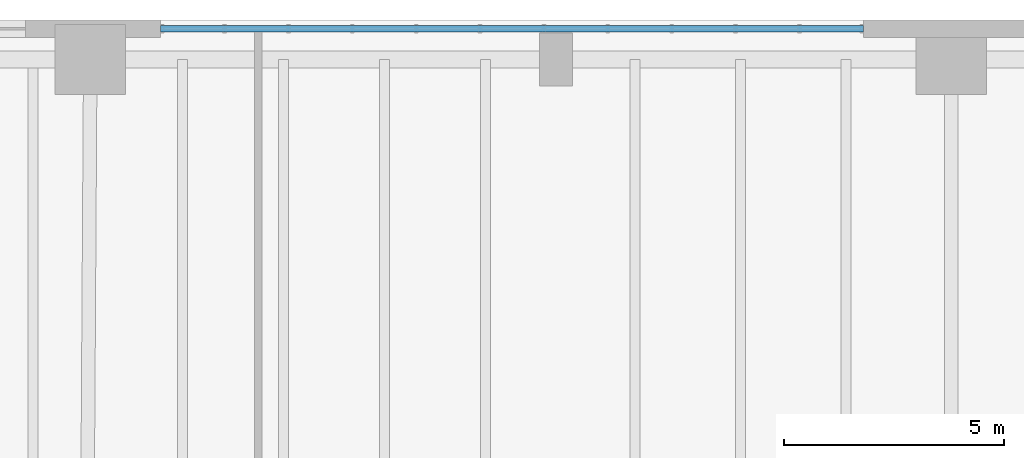
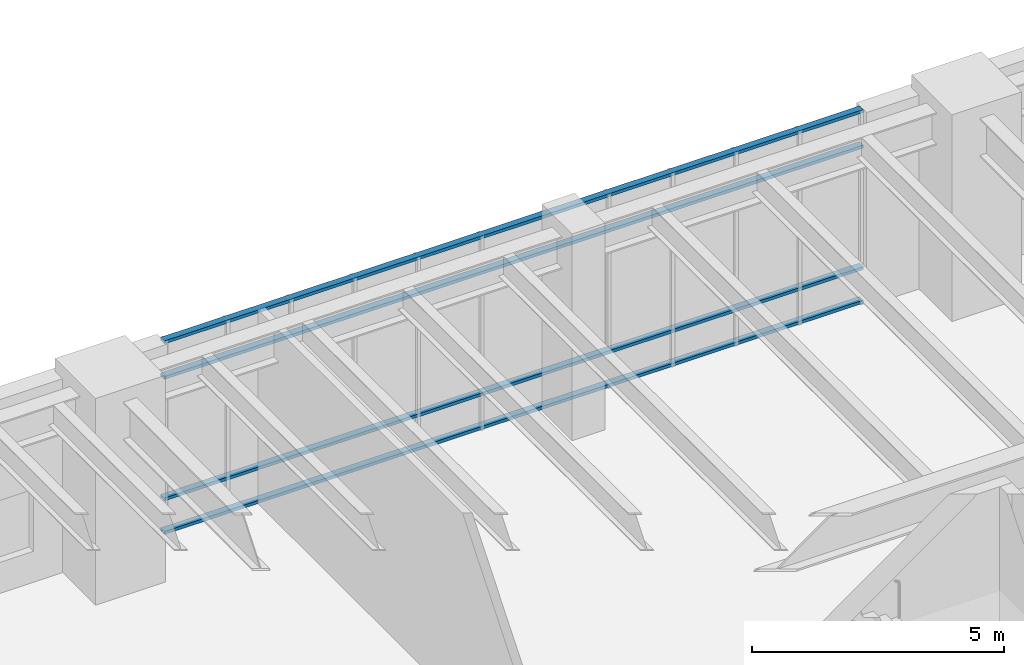
# One storey, part 12 of 26: 4 members, 1 element without a shape of its own.
"""IFC4 building model written with IfcOpenShell, lengths in metres."""

import ifcopenshell
import ifcopenshell.guid

model = None  # the IFC model being written
_history = None  # IfcOwnerHistory: only IFC2X3 demands one
_inside = {}  # id of a spatial element -> (the spatial element, [elements in it])
_under = {}  # id of a project, library or spatial element -> (it, [spatial elements below it])
_declared = {}  # id of a project -> (the project, [libraries it declares])
_typed = {}  # id of a type object -> (the type object, [elements of that type])
_made_of = {}  # id of a material, layer set ... -> (it, [elements and type objects made of it])


def new_model(schema):
    """Start an empty IFC model of exactly this schema.

    Asked for "IFC4X3", IfcOpenShell would pick the latest addendum, in which some entities
    have other attributes; the version numbers below select the first issue.
    IFC2X3 requires an IfcOwnerHistory on every rooted entity: one is made here for all.
    """
    global model, _history
    if schema == "IFC4X3":
        model = ifcopenshell.file(schema_version=(4, 3, 0, 0))
    else:
        model = ifcopenshell.file(schema=schema)
    _inside.clear()
    _under.clear()
    _declared.clear()
    _typed.clear()
    _made_of.clear()
    _history = None
    if model.schema == "IFC2X3":
        org = make("IfcOrganization", Name="unknown")
        user = make(
            "IfcPersonAndOrganization",
            ThePerson=make("IfcPerson", FamilyName="unknown"),
            TheOrganization=org,
        )
        app = make(
            "IfcApplication",
            ApplicationDeveloper=org,
            Version="unknown",
            ApplicationFullName="unknown",
            ApplicationIdentifier="unknown",
        )
        _history = make(
            "IfcOwnerHistory",
            OwningUser=user,
            OwningApplication=app,
            ChangeAction="ADDED",
            CreationDate=0,
        )
    return model


def make(cls, **values):
    """One entity of the class cls with the attributes given. An attribute that is None is left unset."""
    return model.create_entity(
        cls, **{name: value for name, value in values.items() if value is not None}
    )


def rooted(cls, **values):
    """An entity with a GlobalId (a new one), such as an element, a storey or a relation."""
    return make(cls, GlobalId=ifcopenshell.guid.new(), OwnerHistory=_history, **values)


def si_unit(unit_type, name, prefix=None):
    """IfcSIUnit, for example si_unit("LENGTHUNIT", "METRE", prefix="MILLI")."""
    return make("IfcSIUnit", UnitType=unit_type, Prefix=prefix, Name=name)


def assignment(units):
    """IfcUnitAssignment: the units of a project."""
    return None if units is None else make("IfcUnitAssignment", Units=units)


def point(xyz):
    """IfcCartesianPoint."""
    return None if xyz is None else make("IfcCartesianPoint", Coordinates=xyz)


def direction(xyz):
    """IfcDirection."""
    return None if xyz is None else make("IfcDirection", DirectionRatios=xyz)


def frame(location, z_axis=None, x_axis=None):
    """IfcAxis2Placement3D, a coordinate frame: its origin and axes. An axis left out is left unset."""
    return make(
        "IfcAxis2Placement3D",
        Location=point(location),
        Axis=direction(z_axis),
        RefDirection=direction(x_axis),
    )


def frame_2d(location, x_axis=None):
    """IfcAxis2Placement2D, a coordinate frame in the plane: its origin and x axis."""
    return make(
        "IfcAxis2Placement2D", Location=point(location), RefDirection=direction(x_axis)
    )


def origin():
    """The frame at (0, 0, 0) with its axes left unset."""
    return frame((0.0, 0.0, 0.0))


def origin_2d():
    """The frame at (0, 0) in the plane with its x axis left unset."""
    return frame_2d((0.0, 0.0))


def place(relative_to, where):
    """IfcLocalPlacement: puts the frame where relative to a parent placement (None: the world)."""
    return make(
        "IfcLocalPlacement", PlacementRelTo=relative_to, RelativePlacement=where
    )


def context(
    kind, dimensions, precision=None, world=None, true_north=None, identifier=None
):
    """IfcGeometricRepresentationContext, for example the 3D "Model" context."""
    return make(
        "IfcGeometricRepresentationContext",
        ContextIdentifier=identifier,
        ContextType=kind,
        CoordinateSpaceDimension=dimensions,
        Precision=precision,
        WorldCoordinateSystem=world,
        TrueNorth=true_north,
    )


def subcontext(parent, identifier, kind, view, scale=None):
    """IfcGeometricRepresentationSubContext, for example "Body" below "Model"."""
    return make(
        "IfcGeometricRepresentationSubContext",
        ContextIdentifier=identifier,
        ContextType=kind,
        ParentContext=parent,
        TargetScale=scale,
        TargetView=view,
    )


def project(units=None, contexts=None):
    """IfcProject with its units and contexts."""
    return rooted(
        "IfcProject",
        Name="project",
        RepresentationContexts=contexts,
        UnitsInContext=assignment(units),
    )


def spatial(cls, under=None, at=None, **own):
    """A site, building, storey or space (cls), placed at a placement, below another one or the project."""
    s = rooted(cls, ObjectPlacement=at, **own)
    if under is not None:
        _under.setdefault(under.id(), (under, []))[1].append(s)
    return s


def profile(cls, at=None, kind="AREA", **sizes):
    """A parametric profile (cls). Its sizes go by their IFC names, for example OverallWidth=200.0."""
    return make(cls, ProfileType=kind, Position=at, **sizes)


def hollow_rectangle(**sizes):
    """IfcRectangleHollowProfileDef."""
    return profile("IfcRectangleHollowProfileDef", **sizes)


def extrude(swept, where, along, depth):
    """IfcExtrudedAreaSolid: the profile swept, set in the frame where, extruded along a direction by depth."""
    return make(
        "IfcExtrudedAreaSolid",
        SweptArea=swept,
        Position=where,
        ExtrudedDirection=direction(along),
        Depth=depth,
    )


def shape(context_of_items, identifier, shape_type, items):
    """IfcShapeRepresentation: the items that make up one representation, for example the "Body"."""
    return make(
        "IfcShapeRepresentation",
        ContextOfItems=context_of_items,
        RepresentationIdentifier=identifier,
        RepresentationType=shape_type,
        Items=items,
    )


def material(Name=None, Category=None):
    """IfcMaterial."""
    return make("IfcMaterial", Name=Name, Category=Category)


def layer(
    of_material, thickness, ventilated=None, Name=None, Category=None, Priority=None
):
    """IfcMaterialLayer: one layer of a wall or slab, of a material (None: an air gap)."""
    return make(
        "IfcMaterialLayer",
        Material=of_material,
        LayerThickness=thickness,
        IsVentilated=ventilated,
        Name=Name,
        Category=Category,
        Priority=Priority,
    )


def layer_set(layers, Name=None):
    """IfcMaterialLayerSet."""
    return make("IfcMaterialLayerSet", MaterialLayers=layers, LayerSetName=Name)


def material_profile(
    of_material, cross_section, Name=None, Category=None, Priority=None
):
    """IfcMaterialProfile: a cross section and its material."""
    return make(
        "IfcMaterialProfile",
        Name=Name,
        Material=of_material,
        Profile=cross_section,
        Priority=Priority,
        Category=Category,
    )


def profile_set(profiles, Name=None, composite=None):
    """IfcMaterialProfileSet."""
    return make(
        "IfcMaterialProfileSet",
        Name=Name,
        MaterialProfiles=profiles,
        CompositeProfile=composite,
    )


def made_of(thing, what):
    """Note that an element or type object is made of a material, layer set ...; save() writes the relation."""
    if what is not None:
        _made_of.setdefault(what.id(), (what, []))[1].append(thing)
    return thing


def type_object(cls, material=None, **own):
    """A type object (cls), such as IfcWallType, which elements share."""
    return made_of(rooted(cls, **own), material)


def element(
    cls,
    number,
    at=None,
    inside=None,
    cuts=None,
    type_object=None,
    material=None,
    context=None,
    identifier="Body",
    shape_type=None,
    held_by="IfcProductDefinitionShape",
    body=None,
    shapes=None,
    **own,
):
    """One element of the class cls, such as IfcWall. Its Tag is "e" and its number.

    at: its placement. inside: the storey or other place that contains it. cuts: it is an
    opening in that element (IfcRelVoidsElement). A single representation is given by context,
    identifier, shape_type and body (its items); several are given by shapes. held_by: the class
    of the entity that holds the representations. save() writes the other relations.
    """
    e = rooted(cls, Tag="e%d" % number, ObjectPlacement=at, **own)
    if body is not None:
        shapes = [shape(context, identifier, shape_type, body)]
    if shapes is not None:
        e.Representation = make(held_by, Representations=shapes)
    if inside is not None:
        _inside.setdefault(inside.id(), (inside, []))[1].append(e)
    if cuts is not None:
        rooted(
            "IfcRelVoidsElement", RelatingBuildingElement=cuts, RelatedOpeningElement=e
        )
    if type_object is not None:
        _typed.setdefault(type_object.id(), (type_object, []))[1].append(e)
    return made_of(e, material)


def aggregate(whole, parts):
    """IfcRelAggregates: a whole, such as a stair, and the parts it consists of."""
    return rooted("IfcRelAggregates", RelatingObject=whole, RelatedObjects=parts)


def save(model, path):
    """Write the relations noted so far, then the file.

    IfcRelAggregates (storeys below a building ...), IfcRelContainedInSpatialStructure (elements
    in a storey), IfcRelDefinesByType, IfcRelAssociatesMaterial and IfcRelDeclares: one each for
    every whole, place, type object, material and project.
    """
    for whole, parts in _under.values():
        aggregate(whole, parts)
    for where, things in _inside.values():
        rooted(
            "IfcRelContainedInSpatialStructure",
            RelatedElements=things,
            RelatingStructure=where,
        )
    for kind, things in _typed.values():
        rooted("IfcRelDefinesByType", RelatedObjects=things, RelatingType=kind)
    for what, things in _made_of.values():
        rooted("IfcRelAssociatesMaterial", RelatedObjects=things, RelatingMaterial=what)
    for by, libraries in _declared.values():
        rooted("IfcRelDeclares", RelatingContext=by, RelatedDefinitions=libraries)
    model.write(path)


model = new_model("IFC4")

# Units and contexts
model_context = context("Model", 3, precision=1e-05, world=origin(), true_north=direction((0.0, 1.0)))
body_context = subcontext(model_context, "Body", "Model", "MODEL_VIEW")
ifc_project = project(units=[si_unit("LENGTHUNIT", "METRE"), si_unit("AREAUNIT", "SQUARE_METRE"), si_unit("VOLUMEUNIT", "CUBIC_METRE"), si_unit("PLANEANGLEUNIT", "RADIAN"), si_unit("MASSUNIT", "GRAM", prefix="KILO"), si_unit("THERMODYNAMICTEMPERATUREUNIT", "KELVIN"), si_unit("POWERUNIT", "WATT")], contexts=[model_context])

# Site, building, storey
site_placement = place(None, origin())
site = spatial("IfcSite", under=ifc_project, at=site_placement, CompositionType="ELEMENT")
building_placement = place(site_placement, origin())
building = spatial("IfcBuilding", under=site, at=building_placement, Name="Skarre Station Tower", CompositionType="ELEMENT")
storey_placement = place(building_placement, frame((0.0, 0.0, 6.0)))
storey = spatial("IfcBuildingStorey", under=building, at=storey_placement, Name="L02", CompositionType="ELEMENT", Elevation=6.0)

# Curtain wall, members
ifc_material_1 = material(Name="Thermally Broken Bronze-Anodized Aluminium & Triple Low-E Glass", Category="aluminium")
ifc_layer = layer(ifc_material_1, 0.199951171875, Name="Thermally Broken Bronze-Anodized Aluminium & Triple Low-E Glass")
ifc_layer_set = layer_set([ifc_layer], Name="Thermally Broken Bronze-Anodized Aluminium & Triple Low-E Glass")
curtain_wall_type = type_object("IfcCurtainWallType", Name="Podium Transit Arcade Stick Curtain Wall", PredefinedType="NOTDEFINED", material=ifc_layer_set)
curtain_wall_placement = place(storey_placement, origin())
curtain_wall = element("IfcCurtainWall", 1, at=curtain_wall_placement, inside=storey, type_object=curtain_wall_type, Name="L02 North Arcade West Curtain Wall", PredefinedType="NOTDEFINED")
ifc_material_2 = material(Name="Anodized Aluminium 6063-T6", Category="aluminium")
ifc_material_profile = material_profile(ifc_material_2, hollow_rectangle(XDim=0.074951171875, YDim=0.14990234375, WallThickness=0.00390625, at=origin_2d()), Name="Anodized Aluminium 6063-T6")
ifc_profile_set = profile_set([ifc_material_profile], Name="Anodized Aluminium 6063-T6")
member_type = type_object("IfcMemberType", Name="Curtain-Wall Secondary Transom 150x75", PredefinedType="USERDEFINED", material=ifc_profile_set)
member_1_placement = place(storey_placement, frame((18.0, 47.800048828125, 0.0400390625), z_axis=(1.0, 0.0, 0.0), x_axis=(0.0, 0.0, 1.0)))
member_1 = element("IfcMember", 2, at=member_1_placement, type_object=member_type, Name="L02 North Arcade West Curtain Wall Transom 1", ObjectType="TRANSOM", PredefinedType="USERDEFINED", context=body_context, shape_type="SweptSolid", body=[
    extrude(hollow_rectangle(XDim=0.074951171875, YDim=0.14990234375, WallThickness=0.00390625, at=origin_2d()), origin(), (0.0, 0.0, 1.0), 16.0),
])
member_2_placement = place(storey_placement, frame((18.0, 47.800048828125, 0.85009765625), z_axis=(1.0, 0.0, 0.0), x_axis=(0.0, 0.0, 1.0)))
member_2 = element("IfcMember", 3, at=member_2_placement, type_object=member_type, Name="L02 North Arcade West Curtain Wall Transom 2", ObjectType="TRANSOM", PredefinedType="USERDEFINED", context=body_context, shape_type="SweptSolid", body=[
    extrude(hollow_rectangle(XDim=0.074951171875, YDim=0.14990234375, WallThickness=0.00390625, at=origin_2d()), origin(), (0.0, 0.0, 1.0), 16.0),
])
member_3_placement = place(storey_placement, frame((18.0, 47.800048828125, 3.7900390625), z_axis=(1.0, 0.0, 0.0), x_axis=(0.0, 0.0, 1.0)))
member_3 = element("IfcMember", 4, at=member_3_placement, type_object=member_type, Name="L02 North Arcade West Curtain Wall Transom 3", ObjectType="TRANSOM", PredefinedType="USERDEFINED", context=body_context, shape_type="SweptSolid", body=[
    extrude(hollow_rectangle(XDim=0.074951171875, YDim=0.14990234375, WallThickness=0.00390625, at=origin_2d()), origin(), (0.0, 0.0, 1.0), 16.0),
])
member_4_placement = place(storey_placement, frame((18.0, 47.800048828125, 4.64990234375), z_axis=(1.0, 0.0, 0.0), x_axis=(0.0, 0.0, 1.0)))
member_4 = element("IfcMember", 5, at=member_4_placement, type_object=member_type, Name="L02 North Arcade West Curtain Wall Transom 4", ObjectType="TRANSOM", PredefinedType="USERDEFINED", context=body_context, shape_type="SweptSolid", body=[
    extrude(hollow_rectangle(XDim=0.074951171875, YDim=0.14990234375, WallThickness=0.00390625, at=origin_2d()), origin(), (0.0, 0.0, 1.0), 16.0),
])
aggregate(curtain_wall, [member_1, member_2, member_3, member_4])

save(model, "model.ifc")
